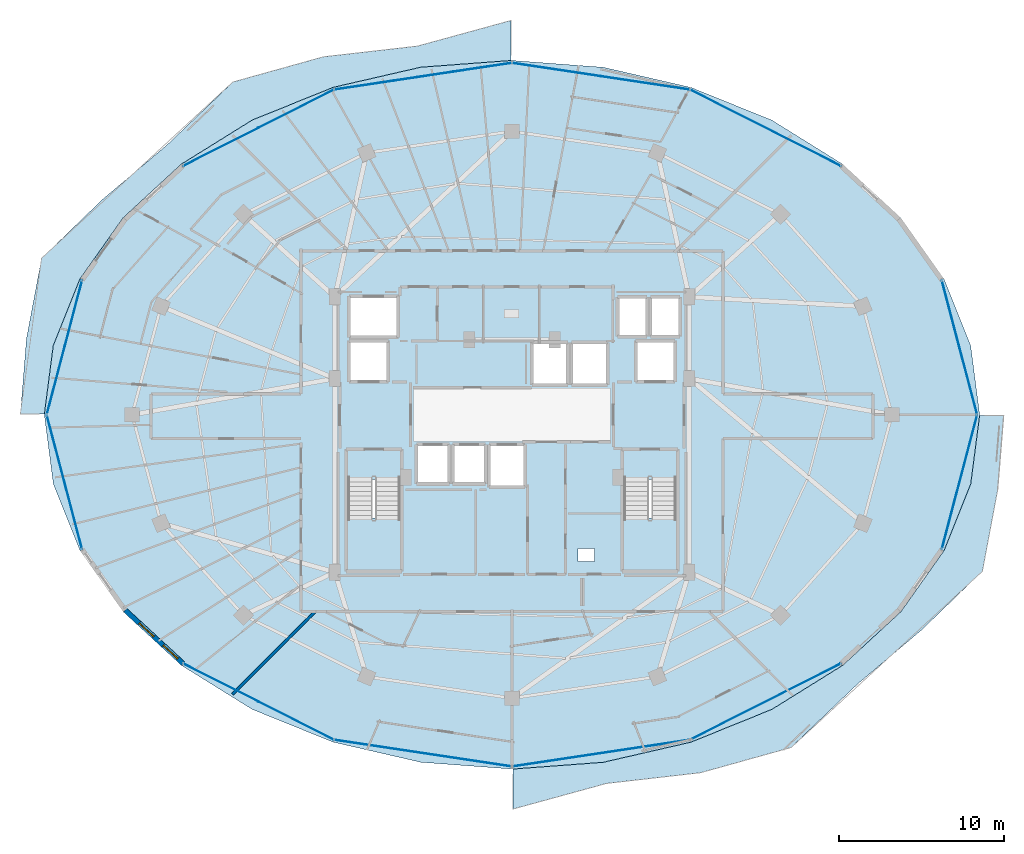
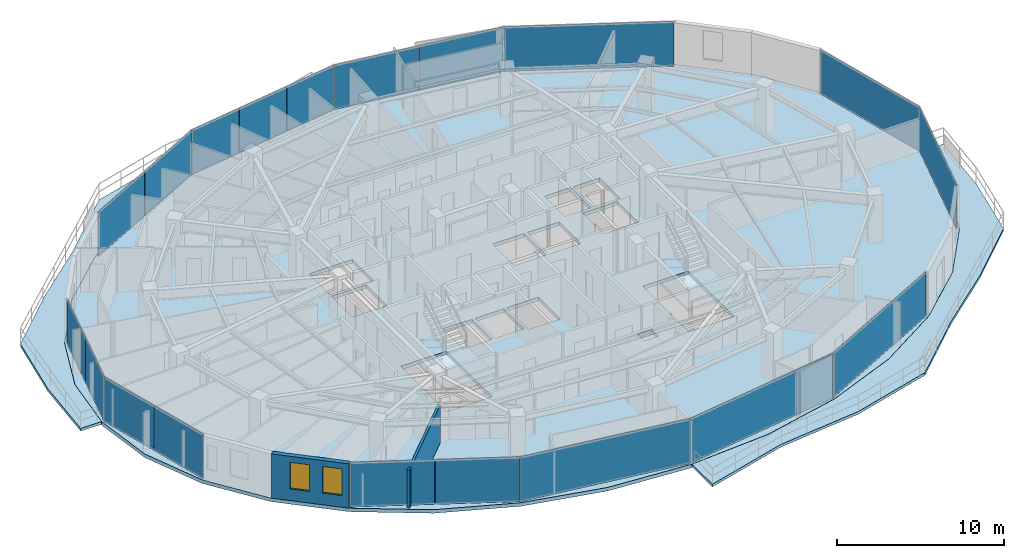
# One storey, part 23 of 33: 19 plates, 5 slabs, 2 walls, 2 windows, 2 openings, 6 elements without a shape of their own.
"""IFC4 building model written with IfcOpenShell, lengths in metres."""

import ifcopenshell
import ifcopenshell.guid

model = None  # the IFC model being written
_history = None  # IfcOwnerHistory: only IFC2X3 demands one
_inside = {}  # id of a spatial element -> (the spatial element, [elements in it])
_under = {}  # id of a project, library or spatial element -> (it, [spatial elements below it])
_declared = {}  # id of a project -> (the project, [libraries it declares])
_typed = {}  # id of a type object -> (the type object, [elements of that type])
_made_of = {}  # id of a material, layer set ... -> (it, [elements and type objects made of it])


def new_model(schema):
    """Start an empty IFC model of exactly this schema.

    Asked for "IFC4X3", IfcOpenShell would pick the latest addendum, in which some entities
    have other attributes; the version numbers below select the first issue.
    IFC2X3 requires an IfcOwnerHistory on every rooted entity: one is made here for all.
    """
    global model, _history
    if schema == "IFC4X3":
        model = ifcopenshell.file(schema_version=(4, 3, 0, 0))
    else:
        model = ifcopenshell.file(schema=schema)
    _inside.clear()
    _under.clear()
    _declared.clear()
    _typed.clear()
    _made_of.clear()
    _history = None
    if model.schema == "IFC2X3":
        org = make("IfcOrganization", Name="unknown")
        user = make(
            "IfcPersonAndOrganization",
            ThePerson=make("IfcPerson", FamilyName="unknown"),
            TheOrganization=org,
        )
        app = make(
            "IfcApplication",
            ApplicationDeveloper=org,
            Version="unknown",
            ApplicationFullName="unknown",
            ApplicationIdentifier="unknown",
        )
        _history = make(
            "IfcOwnerHistory",
            OwningUser=user,
            OwningApplication=app,
            ChangeAction="ADDED",
            CreationDate=0,
        )
    return model


def make(cls, **values):
    """One entity of the class cls with the attributes given. An attribute that is None is left unset."""
    return model.create_entity(
        cls, **{name: value for name, value in values.items() if value is not None}
    )


def rooted(cls, **values):
    """An entity with a GlobalId (a new one), such as an element, a storey or a relation."""
    return make(cls, GlobalId=ifcopenshell.guid.new(), OwnerHistory=_history, **values)


def si_unit(unit_type, name, prefix=None):
    """IfcSIUnit, for example si_unit("LENGTHUNIT", "METRE", prefix="MILLI")."""
    return make("IfcSIUnit", UnitType=unit_type, Prefix=prefix, Name=name)


def assignment(units):
    """IfcUnitAssignment: the units of a project."""
    return None if units is None else make("IfcUnitAssignment", Units=units)


def point(xyz):
    """IfcCartesianPoint."""
    return None if xyz is None else make("IfcCartesianPoint", Coordinates=xyz)


def direction(xyz):
    """IfcDirection."""
    return None if xyz is None else make("IfcDirection", DirectionRatios=xyz)


def frame(location, z_axis=None, x_axis=None):
    """IfcAxis2Placement3D, a coordinate frame: its origin and axes. An axis left out is left unset."""
    return make(
        "IfcAxis2Placement3D",
        Location=point(location),
        Axis=direction(z_axis),
        RefDirection=direction(x_axis),
    )


def frame_2d(location, x_axis=None):
    """IfcAxis2Placement2D, a coordinate frame in the plane: its origin and x axis."""
    return make(
        "IfcAxis2Placement2D", Location=point(location), RefDirection=direction(x_axis)
    )


def origin():
    """The frame at (0, 0, 0) with its axes left unset."""
    return frame((0.0, 0.0, 0.0))


def origin_2d():
    """The frame at (0, 0) in the plane with its x axis left unset."""
    return frame_2d((0.0, 0.0))


def place(relative_to, where):
    """IfcLocalPlacement: puts the frame where relative to a parent placement (None: the world)."""
    return make(
        "IfcLocalPlacement", PlacementRelTo=relative_to, RelativePlacement=where
    )


def context(
    kind, dimensions, precision=None, world=None, true_north=None, identifier=None
):
    """IfcGeometricRepresentationContext, for example the 3D "Model" context."""
    return make(
        "IfcGeometricRepresentationContext",
        ContextIdentifier=identifier,
        ContextType=kind,
        CoordinateSpaceDimension=dimensions,
        Precision=precision,
        WorldCoordinateSystem=world,
        TrueNorth=true_north,
    )


def subcontext(parent, identifier, kind, view, scale=None):
    """IfcGeometricRepresentationSubContext, for example "Body" below "Model"."""
    return make(
        "IfcGeometricRepresentationSubContext",
        ContextIdentifier=identifier,
        ContextType=kind,
        ParentContext=parent,
        TargetScale=scale,
        TargetView=view,
    )


def project(units=None, contexts=None):
    """IfcProject with its units and contexts."""
    return rooted(
        "IfcProject",
        Name="project",
        RepresentationContexts=contexts,
        UnitsInContext=assignment(units),
    )


def spatial(cls, under=None, at=None, **own):
    """A site, building, storey or space (cls), placed at a placement, below another one or the project."""
    s = rooted(cls, ObjectPlacement=at, **own)
    if under is not None:
        _under.setdefault(under.id(), (under, []))[1].append(s)
    return s


def polyline(points):
    """IfcPolyline through the points."""
    return make("IfcPolyline", Points=[point(p) for p in points])


def profile(cls, at=None, kind="AREA", **sizes):
    """A parametric profile (cls). Its sizes go by their IFC names, for example OverallWidth=200.0."""
    return make(cls, ProfileType=kind, Position=at, **sizes)


def rectangle(**sizes):
    """IfcRectangleProfileDef."""
    return profile("IfcRectangleProfileDef", **sizes)


def outline(outer, holes=None, kind="AREA"):
    """IfcArbitraryClosedProfileDef: a profile drawn as a closed curve; with holes, ...WithVoids."""
    if holes is None:
        return make("IfcArbitraryClosedProfileDef", ProfileType=kind, OuterCurve=outer)
    return make(
        "IfcArbitraryProfileDefWithVoids",
        ProfileType=kind,
        OuterCurve=outer,
        InnerCurves=holes,
    )


def extrude(swept, where, along, depth):
    """IfcExtrudedAreaSolid: the profile swept, set in the frame where, extruded along a direction by depth."""
    return make(
        "IfcExtrudedAreaSolid",
        SweptArea=swept,
        Position=where,
        ExtrudedDirection=direction(along),
        Depth=depth,
    )


def shape(context_of_items, identifier, shape_type, items):
    """IfcShapeRepresentation: the items that make up one representation, for example the "Body"."""
    return make(
        "IfcShapeRepresentation",
        ContextOfItems=context_of_items,
        RepresentationIdentifier=identifier,
        RepresentationType=shape_type,
        Items=items,
    )


def material(Name=None, Category=None):
    """IfcMaterial."""
    return make("IfcMaterial", Name=Name, Category=Category)


def layer(
    of_material, thickness, ventilated=None, Name=None, Category=None, Priority=None
):
    """IfcMaterialLayer: one layer of a wall or slab, of a material (None: an air gap)."""
    return make(
        "IfcMaterialLayer",
        Material=of_material,
        LayerThickness=thickness,
        IsVentilated=ventilated,
        Name=Name,
        Category=Category,
        Priority=Priority,
    )


def layer_set(layers, Name=None):
    """IfcMaterialLayerSet."""
    return make("IfcMaterialLayerSet", MaterialLayers=layers, LayerSetName=Name)


def made_of(thing, what):
    """Note that an element or type object is made of a material, layer set ...; save() writes the relation."""
    if what is not None:
        _made_of.setdefault(what.id(), (what, []))[1].append(thing)
    return thing


def type_object(cls, material=None, **own):
    """A type object (cls), such as IfcWallType, which elements share."""
    return made_of(rooted(cls, **own), material)


def element(
    cls,
    number,
    at=None,
    inside=None,
    cuts=None,
    type_object=None,
    material=None,
    context=None,
    identifier="Body",
    shape_type=None,
    held_by="IfcProductDefinitionShape",
    body=None,
    shapes=None,
    **own,
):
    """One element of the class cls, such as IfcWall. Its Tag is "e" and its number.

    at: its placement. inside: the storey or other place that contains it. cuts: it is an
    opening in that element (IfcRelVoidsElement). A single representation is given by context,
    identifier, shape_type and body (its items); several are given by shapes. held_by: the class
    of the entity that holds the representations. save() writes the other relations.
    """
    e = rooted(cls, Tag="e%d" % number, ObjectPlacement=at, **own)
    if body is not None:
        shapes = [shape(context, identifier, shape_type, body)]
    if shapes is not None:
        e.Representation = make(held_by, Representations=shapes)
    if inside is not None:
        _inside.setdefault(inside.id(), (inside, []))[1].append(e)
    if cuts is not None:
        rooted(
            "IfcRelVoidsElement", RelatingBuildingElement=cuts, RelatedOpeningElement=e
        )
    if type_object is not None:
        _typed.setdefault(type_object.id(), (type_object, []))[1].append(e)
    return made_of(e, material)


def fill(opening, filler):
    """IfcRelFillsElement: the door or window that sits in an opening."""
    return rooted(
        "IfcRelFillsElement",
        RelatingOpeningElement=opening,
        RelatedBuildingElement=filler,
    )


def aggregate(whole, parts):
    """IfcRelAggregates: a whole, such as a stair, and the parts it consists of."""
    return rooted("IfcRelAggregates", RelatingObject=whole, RelatedObjects=parts)


def save(model, path):
    """Write the relations noted so far, then the file.

    IfcRelAggregates (storeys below a building ...), IfcRelContainedInSpatialStructure (elements
    in a storey), IfcRelDefinesByType, IfcRelAssociatesMaterial and IfcRelDeclares: one each for
    every whole, place, type object, material and project.
    """
    for whole, parts in _under.values():
        aggregate(whole, parts)
    for where, things in _inside.values():
        rooted(
            "IfcRelContainedInSpatialStructure",
            RelatedElements=things,
            RelatingStructure=where,
        )
    for kind, things in _typed.values():
        rooted("IfcRelDefinesByType", RelatedObjects=things, RelatingType=kind)
    for what, things in _made_of.values():
        rooted("IfcRelAssociatesMaterial", RelatedObjects=things, RelatingMaterial=what)
    for by, libraries in _declared.values():
        rooted("IfcRelDeclares", RelatingContext=by, RelatedDefinitions=libraries)
    model.write(path)


model = new_model("IFC4")

# Units and contexts
model_context = context("Model", 3, precision=1e-05, world=origin(), true_north=direction((0.0, 1.0)))
body_context = subcontext(model_context, "Body", "Model", "MODEL_VIEW")
ifc_project = project(units=[si_unit("LENGTHUNIT", "METRE"), si_unit("AREAUNIT", "SQUARE_METRE"), si_unit("VOLUMEUNIT", "CUBIC_METRE"), si_unit("PLANEANGLEUNIT", "RADIAN"), si_unit("MASSUNIT", "GRAM", prefix="KILO")], contexts=[model_context])

# Site, building, storey
site_placement = place(None, origin())
site = spatial("IfcSite", under=ifc_project, at=site_placement, CompositionType="ELEMENT")
building_placement = place(site_placement, origin())
building = spatial("IfcBuilding", under=site, at=building_placement, Name="Vorneva Point Tower", CompositionType="ELEMENT")
storey_placement = place(building_placement, frame((0.0, 0.0, 196.60009765625)))
storey = spatial("IfcBuildingStorey", under=building, at=storey_placement, Name="L53", CompositionType="ELEMENT", Elevation=196.60009765625)

# Curtain wall, plates
ifc_material_1 = material(Name="Pale anodised aluminium", Category="aluminium")
curtain_wall_type = type_object("IfcCurtainWallType", Name="CW-RES-SYS", PredefinedType="NOTDEFINED", material=ifc_material_1)
curtain_wall_1_placement = place(storey_placement, origin())
curtain_wall_1 = element("IfcCurtainWall", 1, at=curtain_wall_1_placement, inside=storey, type_object=curtain_wall_type, Name="L53 Unitised Curtain Wall CW-L53-R01", PredefinedType="NOTDEFINED")
ifc_material_2 = material(Name="Double low-e laminated glass IGU", Category="glass")
ifc_layer_1 = layer(ifc_material_2, 0.035888671875)
ifc_layer_set_1 = layer_set([ifc_layer_1], Name="Double low-e laminated glass IGU")
plate_type = type_object("IfcPlateType", Name="CW-PNL-VIS", PredefinedType="CURTAIN_PANEL", material=ifc_layer_set_1)
plate_1_placement = place(storey_placement, frame((65.155517578125, 21.914794921875, -0.02001953125), z_axis=(0.0, 0.0, 1.0), x_axis=(0.254365646708, 0.967108121036, 0.0)))
plate_1 = element("IfcPlate", 2, at=plate_1_placement, type_object=plate_type, Name="CW-L53-R01 Glazed Panel 01", PredefinedType="CURTAIN_PANEL", context=body_context, shape_type="SweptSolid", body=[
    extrude(rectangle(XDim=8.398193359375, YDim=0.035888671875, at=origin_2d()), origin(), (0.0, 0.0, 1.0), 3.280029296875),
])
plate_2_placement = place(storey_placement, frame((65.155517578125, 30.085205078125, -0.02001953125), z_axis=(0.0, 0.0, 1.0), x_axis=(-0.254365646708, 0.967108121036, 0.0)))
plate_2 = element("IfcPlate", 3, at=plate_2_placement, type_object=plate_type, Name="CW-L53-R01 Glazed Panel 02", PredefinedType="CURTAIN_PANEL", context=body_context, shape_type="SweptSolid", body=[
    extrude(rectangle(XDim=8.398193359375, YDim=0.035888671875, at=origin_2d()), origin(), (0.0, 0.0, 1.0), 3.280029296875),
])
aggregate(curtain_wall_1, [plate_1, plate_2])

curtain_wall_2_placement = place(storey_placement, origin())
curtain_wall_2 = element("IfcCurtainWall", 4, at=curtain_wall_2_placement, inside=storey, type_object=curtain_wall_type, Name="L53 Unitised Curtain Wall CW-L53-R02", PredefinedType="NOTDEFINED")
plate_3_placement = place(storey_placement, frame((53.38232421875, 43.410888671875, -0.02001953125), z_axis=(0.0, 0.0, 1.0), x_axis=(-0.892514983762, 0.451017742179, 0.0)))
plate_3 = element("IfcPlate", 5, at=plate_3_placement, type_object=plate_type, Name="CW-L53-R02 Glazed Panel 01", PredefinedType="CURTAIN_PANEL", context=body_context, shape_type="SweptSolid", body=[
    extrude(rectangle(XDim=10.21142578125, YDim=0.035888671875, at=origin_2d()), origin(), (0.0, 0.0, 1.0), 3.280029296875),
])
plate_4_placement = place(storey_placement, frame((46.102294921875, 46.131103515625, -0.02001953125), z_axis=(0.0, 0.0, 1.0), x_axis=(-0.988873520862, 0.148758729957, 0.0)))
plate_4 = element("IfcPlate", 6, at=plate_4_placement, type_object=plate_type, Name="CW-L53-R02 Glazed Panel 02A", PredefinedType="CURTAIN_PANEL", context=body_context, shape_type="SweptSolid", body=[
    extrude(rectangle(XDim=5.412353515625, YDim=0.035888671875, at=origin_2d()), origin(), (0.0, 0.0, 1.0), 3.280029296875),
])
plate_5_placement = place(storey_placement, frame((40.70068359375, 46.943603515625, -0.02001953125), z_axis=(0.0, 0.0, 1.0), x_axis=(-0.988873520862, 0.148758729957, 0.0)))
plate_5 = element("IfcPlate", 7, at=plate_5_placement, type_object=plate_type, Name="CW-L53-R02 Glazed Panel 02B", PredefinedType="CURTAIN_PANEL", context=body_context, shape_type="SweptSolid", body=[
    extrude(rectangle(XDim=5.412353515625, YDim=0.035888671875, at=origin_2d()), origin(), (0.0, 0.0, 1.0), 3.280029296875),
])
plate_6_placement = place(storey_placement, frame((36.199462890625, 47.0791015625, -0.02001953125), z_axis=(0.0, 0.0, 1.0), x_axis=(-0.988873520862, -0.148758729957, 0.0)))
plate_6 = element("IfcPlate", 8, at=plate_6_placement, type_object=plate_type, Name="CW-L53-R02 Glazed Panel 03A", PredefinedType="CURTAIN_PANEL", context=body_context, shape_type="SweptSolid", body=[
    extrude(rectangle(XDim=3.591552734375, YDim=0.035888671875, at=origin_2d()), origin(), (0.0, 0.0, 1.0), 3.280029296875),
])
plate_7_placement = place(storey_placement, frame((32.598388671875, 46.537353515625, -0.02001953125), z_axis=(0.0, 0.0, 1.0), x_axis=(-0.988873520862, -0.148758729957, 0.0)))
plate_7 = element("IfcPlate", 9, at=plate_7_placement, type_object=plate_type, Name="CW-L53-R02 Glazed Panel 03B", PredefinedType="CURTAIN_PANEL", context=body_context, shape_type="SweptSolid", body=[
    extrude(rectangle(XDim=3.591552734375, YDim=0.035888671875, at=origin_2d()), origin(), (0.0, 0.0, 1.0), 3.280029296875),
])
plate_8_placement = place(storey_placement, frame((28.997314453125, 45.99560546875, -0.02001953125), z_axis=(0.0, 0.0, 1.0), x_axis=(-0.988873520862, -0.148758729957, 0.0)))
plate_8 = element("IfcPlate", 10, at=plate_8_placement, type_object=plate_type, Name="CW-L53-R02 Glazed Panel 03C", PredefinedType="CURTAIN_PANEL", context=body_context, shape_type="SweptSolid", body=[
    extrude(rectangle(XDim=3.591552734375, YDim=0.035888671875, at=origin_2d()), origin(), (0.0, 0.0, 1.0), 3.280029296875),
])
plate_9_placement = place(storey_placement, frame((24.9072265625, 44.56787109375, -0.02001953125), z_axis=(0.0, 0.0, 1.0), x_axis=(-0.892514983762, -0.451017742179, 0.0)))
plate_9 = element("IfcPlate", 11, at=plate_9_placement, type_object=plate_type, Name="CW-L53-R02 Glazed Panel 04A", PredefinedType="CURTAIN_PANEL", context=body_context, shape_type="SweptSolid", body=[
    extrude(rectangle(XDim=5.080810546875, YDim=0.035888671875, at=origin_2d()), origin(), (0.0, 0.0, 1.0), 3.280029296875),
])
plate_10_placement = place(storey_placement, frame((20.327880859375, 42.253662109375, -0.02001953125), z_axis=(0.0, 0.0, 1.0), x_axis=(-0.892514983762, -0.451017742179, 0.0)))
plate_10 = element("IfcPlate", 12, at=plate_10_placement, type_object=plate_type, Name="CW-L53-R02 Glazed Panel 04B", PredefinedType="CURTAIN_PANEL", context=body_context, shape_type="SweptSolid", body=[
    extrude(rectangle(XDim=5.080810546875, YDim=0.035888671875, at=origin_2d()), origin(), (0.0, 0.0, 1.0), 3.280029296875),
])
aggregate(curtain_wall_2, [plate_3, plate_4, plate_5, plate_6, plate_7, plate_8, plate_9, plate_10])

curtain_wall_3_placement = place(storey_placement, origin())
curtain_wall_3 = element("IfcCurtainWall", 13, at=curtain_wall_3_placement, inside=storey, type_object=curtain_wall_type, Name="L53 Unitised Curtain Wall CW-L53-R03", PredefinedType="NOTDEFINED")
plate_11_placement = place(storey_placement, frame((11.381591796875, 32.127685546875, -0.02001953125), z_axis=(0.0, 0.0, 1.0), x_axis=(-0.254365646708, -0.967108121036, 0.0)))
plate_11 = element("IfcPlate", 14, at=plate_11_placement, type_object=plate_type, Name="CW-L53-R03 Glazed Panel 01A", PredefinedType="CURTAIN_PANEL", context=body_context, shape_type="SweptSolid", body=[
    extrude(rectangle(XDim=4.174072265625, YDim=0.035888671875, at=origin_2d()), origin(), (0.0, 0.0, 1.0), 3.280029296875),
])
plate_12_placement = place(storey_placement, frame((10.30712890625, 28.04248046875, -0.02001953125), z_axis=(0.0, 0.0, 1.0), x_axis=(-0.254365646708, -0.967108121036, 0.0)))
plate_12 = element("IfcPlate", 15, at=plate_12_placement, type_object=plate_type, Name="CW-L53-R03 Glazed Panel 01B", PredefinedType="CURTAIN_PANEL", context=body_context, shape_type="SweptSolid", body=[
    extrude(rectangle(XDim=4.174072265625, YDim=0.035888671875, at=origin_2d()), origin(), (0.0, 0.0, 1.0), 3.280029296875),
])
plate_13_placement = place(storey_placement, frame((10.30712890625, 23.95751953125, -0.02001953125), z_axis=(0.0, 0.0, 1.0), x_axis=(0.254365646708, -0.967108121036, 0.0)))
plate_13 = element("IfcPlate", 16, at=plate_13_placement, type_object=plate_type, Name="CW-L53-R03 Glazed Panel 02A", PredefinedType="CURTAIN_PANEL", context=body_context, shape_type="SweptSolid", body=[
    extrude(rectangle(XDim=4.174072265625, YDim=0.035888671875, at=origin_2d()), origin(), (0.0, 0.0, 1.0), 3.280029296875),
])
plate_14_placement = place(storey_placement, frame((11.381591796875, 19.872314453125, -0.02001953125), z_axis=(0.0, 0.0, 1.0), x_axis=(0.254365646708, -0.967108121036, 0.0)))
plate_14 = element("IfcPlate", 17, at=plate_14_placement, type_object=plate_type, Name="CW-L53-R03 Glazed Panel 02B", PredefinedType="CURTAIN_PANEL", context=body_context, shape_type="SweptSolid", body=[
    extrude(rectangle(XDim=4.174072265625, YDim=0.035888671875, at=origin_2d()), origin(), (0.0, 0.0, 1.0), 3.280029296875),
])
aggregate(curtain_wall_3, [plate_11, plate_12, plate_13, plate_14])

curtain_wall_4_placement = place(storey_placement, origin())
curtain_wall_4 = element("IfcCurtainWall", 18, at=curtain_wall_4_placement, inside=storey, type_object=curtain_wall_type, Name="L53 Unitised Curtain Wall CW-L53-R04", PredefinedType="NOTDEFINED")
plate_15_placement = place(storey_placement, frame((20.327880859375, 9.746337890625, -0.02001953125), z_axis=(0.0, 0.0, 1.0), x_axis=(0.892514983762, -0.451017742179, 0.0)))
plate_15 = element("IfcPlate", 19, at=plate_15_placement, type_object=plate_type, Name="CW-L53-R04 Glazed Panel 01A", PredefinedType="CURTAIN_PANEL", context=body_context, shape_type="SweptSolid", body=[
    extrude(rectangle(XDim=5.080810546875, YDim=0.035888671875, at=origin_2d()), origin(), (0.0, 0.0, 1.0), 3.280029296875),
])
plate_16_placement = place(storey_placement, frame((24.9072265625, 7.43212890625, -0.02001953125), z_axis=(0.0, 0.0, 1.0), x_axis=(0.892514983762, -0.451017742179, 0.0)))
plate_16 = element("IfcPlate", 20, at=plate_16_placement, type_object=plate_type, Name="CW-L53-R04 Glazed Panel 01B", PredefinedType="CURTAIN_PANEL", context=body_context, shape_type="SweptSolid", body=[
    extrude(rectangle(XDim=5.080810546875, YDim=0.035888671875, at=origin_2d()), origin(), (0.0, 0.0, 1.0), 3.280029296875),
])
plate_17_placement = place(storey_placement, frame((32.598388671875, 5.462646484375, -0.02001953125), z_axis=(0.0, 0.0, 1.0), x_axis=(0.988873520862, -0.148758729957, 0.0)))
plate_17 = element("IfcPlate", 21, at=plate_17_placement, type_object=plate_type, Name="CW-L53-R04 Glazed Panel 02", PredefinedType="CURTAIN_PANEL", context=body_context, shape_type="SweptSolid", body=[
    extrude(rectangle(XDim=10.874755859375, YDim=0.035888671875, at=origin_2d()), origin(), (0.0, 0.0, 1.0), 3.280029296875),
])
plate_18_placement = place(storey_placement, frame((43.401611328125, 5.462646484375, -0.02001953125), z_axis=(0.0, 0.0, 1.0), x_axis=(0.988873520862, 0.148758729957, 0.0)))
plate_18 = element("IfcPlate", 22, at=plate_18_placement, type_object=plate_type, Name="CW-L53-R04 Glazed Panel 03", PredefinedType="CURTAIN_PANEL", context=body_context, shape_type="SweptSolid", body=[
    extrude(rectangle(XDim=10.874755859375, YDim=0.035888671875, at=origin_2d()), origin(), (0.0, 0.0, 1.0), 3.280029296875),
])
plate_19_placement = place(storey_placement, frame((53.38232421875, 8.589111328125, -0.02001953125), z_axis=(0.0, 0.0, 1.0), x_axis=(0.892514983762, 0.451017742179, 0.0)))
plate_19 = element("IfcPlate", 23, at=plate_19_placement, type_object=plate_type, Name="CW-L53-R04 Glazed Panel 04", PredefinedType="CURTAIN_PANEL", context=body_context, shape_type="SweptSolid", body=[
    extrude(rectangle(XDim=10.21142578125, YDim=0.035888671875, at=origin_2d()), origin(), (0.0, 0.0, 1.0), 3.280029296875),
])
aggregate(curtain_wall_4, [plate_15, plate_16, plate_17, plate_18, plate_19])

# Slabs
ifc_material_3 = material(Name="Concrete B50 (C40/50)", Category="concrete")
ifc_layer_2 = layer(ifc_material_3, 0.199951171875)
ifc_layer_set_2 = layer_set([ifc_layer_2], Name="Concrete B50 (C40/50)")
slab_type_1 = type_object("IfcSlabType", Name="SLB-BAL-200", PredefinedType="FLOOR", material=ifc_layer_set_2)
slab_1_placement = place(storey_placement, frame((0.0, 0.0, -0.2001953125)))
element("IfcSlab", 24, at=slab_1_placement, inside=storey, type_object=slab_type_1, Name="L53 Cantilevered Wave Balcony NW", PredefinedType="FLOOR", context=body_context, shape_type="SweptSolid", body=[
    extrude(outline(polyline([(8.1689453125, 26.050048828125), (9.62255859375, 26.050048828125), (10.161376953125, 30.19482421875), (10.161376953125, 30.1953125), (10.16162109375, 30.195556640625), (10.16162109375, 30.19580078125), (11.776611328125, 34.229248046875), (11.77685546875, 34.2294921875), (11.777099609375, 34.22998046875), (14.399658203125, 37.947021484375), (14.39990234375, 37.947509765625), (14.400146484375, 37.94775390625), (17.9296875, 41.205810546875), (17.929931640625, 41.2060546875), (17.93017578125, 41.206298828125), (22.230712890625, 43.8798828125), (22.231201171875, 43.880126953125), (22.2314453125, 43.88037109375), (27.137939453125, 45.8671875), (27.13818359375, 45.8671875), (27.138427734375, 45.8671875), (32.46240234375, 47.0908203125), (32.462646484375, 47.0908203125), (32.462890625, 47.0908203125), (37.949951171875, 47.500244140625), (37.949951171875, 49.931396484375), (32.26904296875, 48.37548828125), (26.5556640625, 47.72412109375), (21.060302734375, 46.193359375), (17.0537109375, 42.362548828125), (13.141357421875, 39.057373046875), (9.455078125, 35.4990234375), (8.538330078125, 30.62158203125), (8.1689453125, 26.050048828125)])), origin(), (0.0, 0.0, 1.0), 0.2001953125),
])
slab_2_placement = place(storey_placement, frame((0.0, 0.0, -0.2001953125)))
element("IfcSlab", 25, at=slab_2_placement, inside=storey, type_object=slab_type_1, Name="L53 Cantilevered Wave Balcony SE", PredefinedType="FLOOR", context=body_context, shape_type="SweptSolid", body=[
    extrude(outline(polyline([(67.461669921875, 21.37841796875), (67.8310546875, 25.949951171875), (66.37744140625, 25.949951171875), (65.838623046875, 21.80517578125), (65.838623046875, 21.8046875), (65.83837890625, 21.804443359375), (65.83837890625, 21.80419921875), (64.223388671875, 17.770751953125), (64.22314453125, 17.7705078125), (64.222900390625, 17.77001953125), (61.600341796875, 14.052978515625), (61.60009765625, 14.052490234375), (61.599853515625, 14.05224609375), (58.0703125, 10.794189453125), (58.070068359375, 10.7939453125), (58.06982421875, 10.793701171875), (53.769287109375, 8.1201171875), (53.768798828125, 8.119873046875), (53.7685546875, 8.11962890625), (48.862060546875, 6.1328125), (48.86181640625, 6.1328125), (48.861572265625, 6.1328125), (43.53759765625, 4.9091796875), (43.537353515625, 4.9091796875), (43.537109375, 4.9091796875), (38.050048828125, 4.499755859375), (38.050048828125, 2.068603515625), (43.73095703125, 3.62451171875), (49.4443359375, 4.27587890625), (54.939697265625, 5.806640625), (58.9462890625, 9.637451171875), (62.858642578125, 12.942626953125), (66.544921875, 16.5009765625), (67.461669921875, 21.37841796875)])), origin(), (0.0, 0.0, 1.0), 0.2001953125),
])

# Stair, slab
stair_type = type_object("IfcStairType", Name="ST-DOG-1500", PredefinedType="HALF_TURN_STAIR", material=ifc_material_3)
stair_1_placement = place(storey_placement, origin())
stair_1 = element("IfcStair", 26, at=stair_1_placement, inside=storey, type_object=stair_type, Name="L53 ST1", PredefinedType="HALF_TURN_STAIR")
ifc_layer_3 = layer(ifc_material_3, 0.199951171875)
ifc_layer_set_3 = layer_set([ifc_layer_3], Name="Concrete B50 (C40/50)")
slab_type_2 = type_object("IfcSlabType", Name="SLB-LND-200", PredefinedType="LANDING", material=ifc_layer_set_3)
slab_3_placement = place(storey_placement, frame((0.0, 0.0, 1.5498046875)))
slab_3 = element("IfcSlab", 27, at=slab_3_placement, type_object=slab_type_2, Name="ST1 landing 1", PredefinedType="LANDING", context=body_context, shape_type="SweptSolid", body=[
    extrude(outline(polyline([(27.929931640625, 16.47998046875), (31.320068359375, 16.47998046875), (31.320068359375, 19.72998046875), (27.929931640625, 19.72998046875), (27.929931640625, 16.47998046875)])), origin(), (0.0, 0.0, 1.0), 0.2001953125),
])
aggregate(stair_1, [slab_3])

stair_2_placement = place(storey_placement, origin())
stair_2 = element("IfcStair", 28, at=stair_2_placement, inside=storey, type_object=stair_type, Name="L53 ST2", PredefinedType="HALF_TURN_STAIR")
slab_4_placement = place(storey_placement, frame((0.0, 0.0, 1.5498046875)))
slab_4 = element("IfcSlab", 29, at=slab_4_placement, type_object=slab_type_2, Name="ST2 landing 1", PredefinedType="LANDING", context=body_context, shape_type="SweptSolid", body=[
    extrude(outline(polyline([(44.679931640625, 16.47998046875), (48.070068359375, 16.47998046875), (48.070068359375, 19.72998046875), (44.679931640625, 19.72998046875), (44.679931640625, 16.47998046875)])), origin(), (0.0, 0.0, 1.0), 0.2001953125),
])
aggregate(stair_2, [slab_4])

# Slab
ifc_layer_4 = layer(ifc_material_3, 0.260009765625)
ifc_layer_set_4 = layer_set([ifc_layer_4], Name="Concrete B50 (C40/50)")
slab_type_3 = type_object("IfcSlabType", Name="SLB-TYP-260", PredefinedType="FLOOR", material=ifc_layer_set_4)
slab_5_placement = place(storey_placement, frame((0.0, 0.0, -0.260009765625)))
element("IfcSlab", 30, at=slab_5_placement, inside=storey, type_object=slab_type_3, Name="L53 Structural Floor Plate", PredefinedType="FLOOR", context=body_context, shape_type="SweptSolid", body=[
    extrude(outline(polyline([(66.3798828125, 26.0), (65.834716796875, 30.1943359375), (64.2197265625, 34.227783203125), (61.59716796875, 37.94482421875), (58.067626953125, 41.202880859375), (53.76708984375, 43.876708984375), (48.860595703125, 45.86328125), (43.53662109375, 47.0869140625), (38.0, 47.5), (32.46337890625, 47.0869140625), (27.139404296875, 45.86328125), (22.23291015625, 43.876708984375), (17.932373046875, 41.202880859375), (14.40283203125, 37.94482421875), (11.7802734375, 34.227783203125), (10.165283203125, 30.1943359375), (9.6201171875, 26.0), (10.165283203125, 21.8056640625), (11.7802734375, 17.772216796875), (14.40283203125, 14.05517578125), (17.932373046875, 10.797119140625), (22.23291015625, 8.123291015625), (27.139404296875, 6.13671875), (32.46337890625, 4.9130859375), (38.0, 4.5), (43.53662109375, 4.9130859375), (48.860595703125, 6.13671875), (53.76708984375, 8.123291015625), (58.067626953125, 10.797119140625), (61.59716796875, 14.05517578125), (64.2197265625, 17.772216796875), (65.834716796875, 21.8056640625), (66.3798828125, 26.0)]), holes=[polyline([(32.199951171875, 21.800048828125), (34.199951171875, 21.800048828125), (34.199951171875, 24.199951171875), (32.199951171875, 24.199951171875), (32.199951171875, 21.800048828125)]), polyline([(34.39990234375, 21.800048828125), (36.39990234375, 21.800048828125), (36.39990234375, 24.199951171875), (34.39990234375, 24.199951171875), (34.39990234375, 21.800048828125)]), polyline([(36.60009765625, 21.60009765625), (38.800048828125, 21.60009765625), (38.800048828125, 24.199951171875), (36.60009765625, 24.199951171875), (36.60009765625, 21.60009765625)]), polyline([(39.199951171875, 27.800048828125), (41.39990234375, 27.800048828125), (41.39990234375, 30.39990234375), (39.199951171875, 30.39990234375), (39.199951171875, 27.800048828125)]), polyline([(41.60009765625, 27.800048828125), (43.800048828125, 27.800048828125), (43.800048828125, 30.39990234375), (41.60009765625, 30.39990234375), (41.60009765625, 27.800048828125)]), polyline([(44.39990234375, 30.739990234375), (46.199951171875, 30.739990234375), (46.199951171875, 33.159912109375), (44.39990234375, 33.159912109375), (44.39990234375, 30.739990234375)]), polyline([(46.39990234375, 30.739990234375), (48.199951171875, 30.739990234375), (48.199951171875, 33.159912109375), (46.39990234375, 33.159912109375), (46.39990234375, 30.739990234375)]), polyline([(28.10009765625, 28.0), (30.5, 28.0), (30.5, 30.5), (28.10009765625, 30.5), (28.10009765625, 28.0)]), polyline([(45.5, 28.0), (47.89990234375, 28.0), (47.89990234375, 30.5), (45.5, 30.5), (45.5, 28.0)]), polyline([(28.10009765625, 30.699951171875), (31.10009765625, 30.699951171875), (31.10009765625, 33.199951171875), (28.10009765625, 33.199951171875), (28.10009765625, 30.699951171875)]), polyline([(28.050048828125, 16.60009765625), (31.199951171875, 16.60009765625), (31.199951171875, 22.080078125), (28.050048828125, 22.080078125), (28.050048828125, 16.60009765625)]), polyline([(44.800048828125, 16.60009765625), (47.949951171875, 16.60009765625), (47.949951171875, 22.080078125), (44.800048828125, 22.080078125), (44.800048828125, 16.60009765625)]), polyline([(42.0, 17.10009765625), (43.0, 17.10009765625), (43.0, 17.89990234375), (42.0, 17.89990234375), (42.0, 17.10009765625)])]), origin(), (0.0, 0.0, 1.0), 0.260009765625),
])

# Wall, openings, windows
ifc_material_4 = material(Name="Precast concrete B50 (C40/50)", Category="concrete")
ifc_layer_5 = layer(ifc_material_4, 0.300048828125)
ifc_layer_set_5 = layer_set([ifc_layer_5], Name="Precast concrete B50 (C40/50)")
wall_type_1 = type_object("IfcWallType", Name="WL-EXT-300", PredefinedType="STANDARD", material=ifc_layer_set_5)
wall_1_placement = place(storey_placement, frame((14.527587890625, 14.138671875, 0.0), z_axis=(0.0, 0.0, 1.0), x_axis=(0.735359993374, -0.677676678177, 0.0)))
wall_1 = element("IfcWall", 31, at=wall_1_placement, inside=storey, type_object=wall_type_1, Name="L53 Pale-Metal Facade Spandrel Wall 10.2", PredefinedType="STANDARD", context=body_context, shape_type="SweptSolid", body=[
    extrude(rectangle(XDim=4.774169921875, YDim=0.300048828125, at=frame_2d((2.38720703125, 0.0))), origin(), (0.0, 0.0, 1.0), 3.239990234375),
])
opening_1_placement = place(wall_1_placement, frame((1.158203125, 0.0, 0.85009765625)))
opening_1 = element("IfcOpeningElement", 32, at=opening_1_placement, cuts=wall_1, Name="Opening W-04", PredefinedType="OPENING", context=body_context, shape_type="SweptSolid", body=[
    extrude(rectangle(XDim=1.199951171875, YDim=1.949951171875, at=frame_2d((0.60009765625, 0.97509765625))), frame((0.0, 0.1650390625, 0.0), z_axis=(0.0, -1.0, 0.0), x_axis=(1.0, 0.0, 0.0)), (0.0, 0.0, 1.0), 0.329833984375),
])
opening_2_placement = place(wall_1_placement, frame((3.134765625, 0.0, 0.85009765625)))
opening_2 = element("IfcOpeningElement", 33, at=opening_2_placement, cuts=wall_1, Name="Opening W-04", PredefinedType="OPENING", context=body_context, shape_type="SweptSolid", body=[
    extrude(rectangle(XDim=1.199951171875, YDim=1.949951171875, at=frame_2d((0.60009765625, 0.97509765625))), frame((0.0, 0.1650390625, 0.0), z_axis=(0.0, -1.0, 0.0), x_axis=(1.0, 0.0, 0.0)), (0.0, 0.0, 1.0), 0.329833984375),
])
window_type = type_object("IfcWindowType", Name="WN-RES-1200", PartitioningType="SINGLE_PANEL", PredefinedType="WINDOW", material=ifc_material_2)
window_1_placement = place(opening_1_placement, origin())
window_1 = element("IfcWindow", 34, at=window_1_placement, inside=storey, type_object=window_type, Name="L53 Dwelling Vision Window 03", OverallHeight=1.949951171875, OverallWidth=1.199951171875, PartitioningType="SINGLE_PANEL", PredefinedType="WINDOW", context=body_context, shape_type="SweptSolid", body=[
    extrude(rectangle(XDim=1.199951171875, YDim=1.949951171875, at=frame_2d((0.60009765625, 0.97509765625))), frame((0.0, 0.030029296875, 0.0), z_axis=(0.0, -1.0, 0.0), x_axis=(1.0, 0.0, 0.0)), (0.0, 0.0, 1.0), 0.06005859375),
])
fill(opening_1, window_1)
window_2_placement = place(opening_2_placement, origin())
window_2 = element("IfcWindow", 35, at=window_2_placement, inside=storey, type_object=window_type, Name="L53 Dwelling Vision Window 04", OverallHeight=1.949951171875, OverallWidth=1.199951171875, PartitioningType="SINGLE_PANEL", PredefinedType="WINDOW", context=body_context, shape_type="SweptSolid", body=[
    extrude(rectangle(XDim=1.199951171875, YDim=1.949951171875, at=frame_2d((0.60009765625, 0.97509765625))), frame((0.0, 0.030029296875, 0.0), z_axis=(0.0, -1.0, 0.0), x_axis=(1.0, 0.0, 0.0)), (0.0, 0.0, 1.0), 0.06005859375),
])
fill(opening_2, window_2)

# Wall
ifc_material_5 = material(Name="Fire-rated acoustic gypsum stud partition", Category="gypsum")
ifc_layer_6 = layer(ifc_material_5, 0.159912109375)
ifc_layer_set_6 = layer_set([ifc_layer_6], Name="Fire-rated acoustic gypsum stud partition")
wall_type_2 = type_object("IfcWallType", Name="WL-PART-160", PredefinedType="PARTITIONING", material=ifc_layer_set_6)
wall_2_placement = place(storey_placement, frame((21.041015625, 9.041015625, 0.0), z_axis=(0.0, 0.0, 1.0), x_axis=(0.707106781187, 0.707106781187, 0.0)))
element("IfcWall", 36, at=wall_2_placement, inside=storey, type_object=wall_type_2, Name="L53 Interior Partition 111", PredefinedType="PARTITIONING", context=body_context, shape_type="SweptSolid", body=[
    extrude(rectangle(XDim=7.083740234375, YDim=0.159912109375, at=frame_2d((3.5419921875, 0.0))), origin(), (0.0, 0.0, 1.0), 2.77392578125),
])

save(model, "model.ifc")
